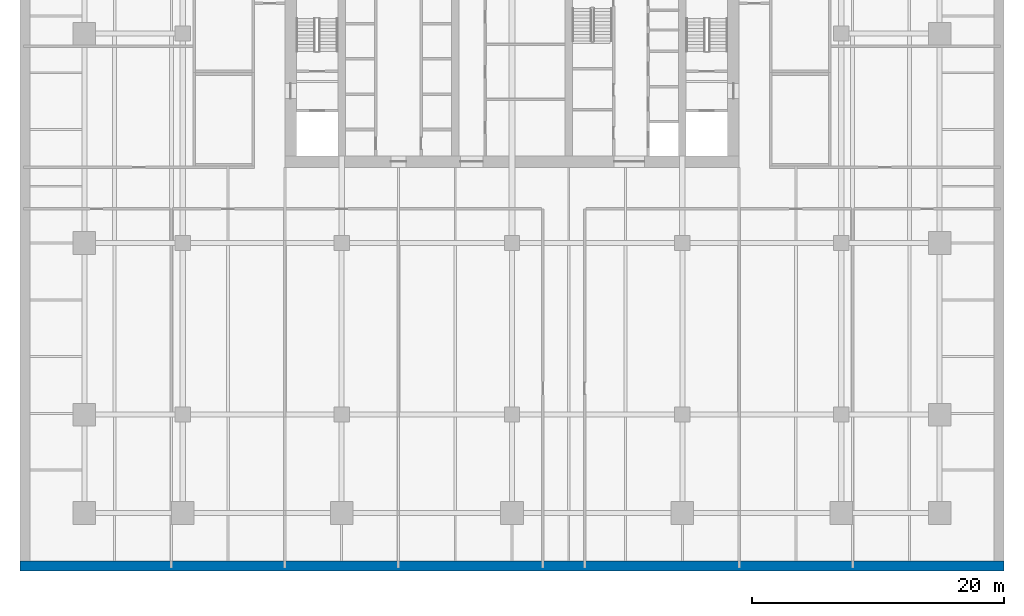
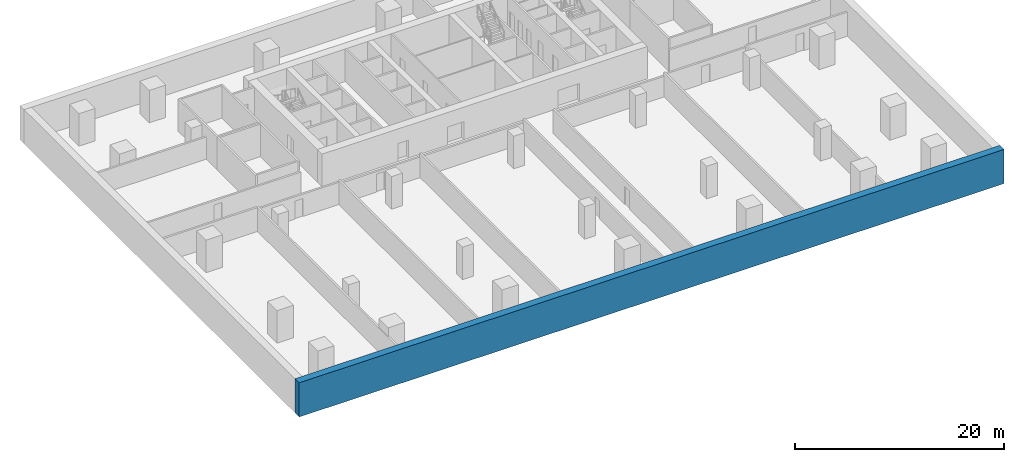
# One storey, part 5 of 10: 1 wall.
"""IFC4 building model written with IfcOpenShell, lengths in metres."""

import ifcopenshell
import ifcopenshell.guid

model = None  # the IFC model being written
_history = None  # IfcOwnerHistory: only IFC2X3 demands one
_inside = {}  # id of a spatial element -> (the spatial element, [elements in it])
_under = {}  # id of a project, library or spatial element -> (it, [spatial elements below it])
_declared = {}  # id of a project -> (the project, [libraries it declares])
_typed = {}  # id of a type object -> (the type object, [elements of that type])
_made_of = {}  # id of a material, layer set ... -> (it, [elements and type objects made of it])


def new_model(schema):
    """Start an empty IFC model of exactly this schema.

    Asked for "IFC4X3", IfcOpenShell would pick the latest addendum, in which some entities
    have other attributes; the version numbers below select the first issue.
    IFC2X3 requires an IfcOwnerHistory on every rooted entity: one is made here for all.
    """
    global model, _history
    if schema == "IFC4X3":
        model = ifcopenshell.file(schema_version=(4, 3, 0, 0))
    else:
        model = ifcopenshell.file(schema=schema)
    _inside.clear()
    _under.clear()
    _declared.clear()
    _typed.clear()
    _made_of.clear()
    _history = None
    if model.schema == "IFC2X3":
        org = make("IfcOrganization", Name="unknown")
        user = make(
            "IfcPersonAndOrganization",
            ThePerson=make("IfcPerson", FamilyName="unknown"),
            TheOrganization=org,
        )
        app = make(
            "IfcApplication",
            ApplicationDeveloper=org,
            Version="unknown",
            ApplicationFullName="unknown",
            ApplicationIdentifier="unknown",
        )
        _history = make(
            "IfcOwnerHistory",
            OwningUser=user,
            OwningApplication=app,
            ChangeAction="ADDED",
            CreationDate=0,
        )
    return model


def make(cls, **values):
    """One entity of the class cls with the attributes given. An attribute that is None is left unset."""
    return model.create_entity(
        cls, **{name: value for name, value in values.items() if value is not None}
    )


def rooted(cls, **values):
    """An entity with a GlobalId (a new one), such as an element, a storey or a relation."""
    return make(cls, GlobalId=ifcopenshell.guid.new(), OwnerHistory=_history, **values)


def si_unit(unit_type, name, prefix=None):
    """IfcSIUnit, for example si_unit("LENGTHUNIT", "METRE", prefix="MILLI")."""
    return make("IfcSIUnit", UnitType=unit_type, Prefix=prefix, Name=name)


def assignment(units):
    """IfcUnitAssignment: the units of a project."""
    return None if units is None else make("IfcUnitAssignment", Units=units)


def point(xyz):
    """IfcCartesianPoint."""
    return None if xyz is None else make("IfcCartesianPoint", Coordinates=xyz)


def direction(xyz):
    """IfcDirection."""
    return None if xyz is None else make("IfcDirection", DirectionRatios=xyz)


def frame(location, z_axis=None, x_axis=None):
    """IfcAxis2Placement3D, a coordinate frame: its origin and axes. An axis left out is left unset."""
    return make(
        "IfcAxis2Placement3D",
        Location=point(location),
        Axis=direction(z_axis),
        RefDirection=direction(x_axis),
    )


def frame_2d(location, x_axis=None):
    """IfcAxis2Placement2D, a coordinate frame in the plane: its origin and x axis."""
    return make(
        "IfcAxis2Placement2D", Location=point(location), RefDirection=direction(x_axis)
    )


def origin():
    """The frame at (0, 0, 0) with its axes left unset."""
    return frame((0.0, 0.0, 0.0))


def place(relative_to, where):
    """IfcLocalPlacement: puts the frame where relative to a parent placement (None: the world)."""
    return make(
        "IfcLocalPlacement", PlacementRelTo=relative_to, RelativePlacement=where
    )


def context(
    kind, dimensions, precision=None, world=None, true_north=None, identifier=None
):
    """IfcGeometricRepresentationContext, for example the 3D "Model" context."""
    return make(
        "IfcGeometricRepresentationContext",
        ContextIdentifier=identifier,
        ContextType=kind,
        CoordinateSpaceDimension=dimensions,
        Precision=precision,
        WorldCoordinateSystem=world,
        TrueNorth=true_north,
    )


def subcontext(parent, identifier, kind, view, scale=None):
    """IfcGeometricRepresentationSubContext, for example "Body" below "Model"."""
    return make(
        "IfcGeometricRepresentationSubContext",
        ContextIdentifier=identifier,
        ContextType=kind,
        ParentContext=parent,
        TargetScale=scale,
        TargetView=view,
    )


def project(units=None, contexts=None):
    """IfcProject with its units and contexts."""
    return rooted(
        "IfcProject",
        Name="project",
        RepresentationContexts=contexts,
        UnitsInContext=assignment(units),
    )


def spatial(cls, under=None, at=None, **own):
    """A site, building, storey or space (cls), placed at a placement, below another one or the project."""
    s = rooted(cls, ObjectPlacement=at, **own)
    if under is not None:
        _under.setdefault(under.id(), (under, []))[1].append(s)
    return s


def profile(cls, at=None, kind="AREA", **sizes):
    """A parametric profile (cls). Its sizes go by their IFC names, for example OverallWidth=200.0."""
    return make(cls, ProfileType=kind, Position=at, **sizes)


def rectangle(**sizes):
    """IfcRectangleProfileDef."""
    return profile("IfcRectangleProfileDef", **sizes)


def extrude(swept, where, along, depth):
    """IfcExtrudedAreaSolid: the profile swept, set in the frame where, extruded along a direction by depth."""
    return make(
        "IfcExtrudedAreaSolid",
        SweptArea=swept,
        Position=where,
        ExtrudedDirection=direction(along),
        Depth=depth,
    )


def shape(context_of_items, identifier, shape_type, items):
    """IfcShapeRepresentation: the items that make up one representation, for example the "Body"."""
    return make(
        "IfcShapeRepresentation",
        ContextOfItems=context_of_items,
        RepresentationIdentifier=identifier,
        RepresentationType=shape_type,
        Items=items,
    )


def material(Name=None, Category=None):
    """IfcMaterial."""
    return make("IfcMaterial", Name=Name, Category=Category)


def layer(
    of_material, thickness, ventilated=None, Name=None, Category=None, Priority=None
):
    """IfcMaterialLayer: one layer of a wall or slab, of a material (None: an air gap)."""
    return make(
        "IfcMaterialLayer",
        Material=of_material,
        LayerThickness=thickness,
        IsVentilated=ventilated,
        Name=Name,
        Category=Category,
        Priority=Priority,
    )


def layer_set(layers, Name=None):
    """IfcMaterialLayerSet."""
    return make("IfcMaterialLayerSet", MaterialLayers=layers, LayerSetName=Name)


def made_of(thing, what):
    """Note that an element or type object is made of a material, layer set ...; save() writes the relation."""
    if what is not None:
        _made_of.setdefault(what.id(), (what, []))[1].append(thing)
    return thing


def type_object(cls, material=None, **own):
    """A type object (cls), such as IfcWallType, which elements share."""
    return made_of(rooted(cls, **own), material)


def element(
    cls,
    number,
    at=None,
    inside=None,
    cuts=None,
    type_object=None,
    material=None,
    context=None,
    identifier="Body",
    shape_type=None,
    held_by="IfcProductDefinitionShape",
    body=None,
    shapes=None,
    **own,
):
    """One element of the class cls, such as IfcWall. Its Tag is "e" and its number.

    at: its placement. inside: the storey or other place that contains it. cuts: it is an
    opening in that element (IfcRelVoidsElement). A single representation is given by context,
    identifier, shape_type and body (its items); several are given by shapes. held_by: the class
    of the entity that holds the representations. save() writes the other relations.
    """
    e = rooted(cls, Tag="e%d" % number, ObjectPlacement=at, **own)
    if body is not None:
        shapes = [shape(context, identifier, shape_type, body)]
    if shapes is not None:
        e.Representation = make(held_by, Representations=shapes)
    if inside is not None:
        _inside.setdefault(inside.id(), (inside, []))[1].append(e)
    if cuts is not None:
        rooted(
            "IfcRelVoidsElement", RelatingBuildingElement=cuts, RelatedOpeningElement=e
        )
    if type_object is not None:
        _typed.setdefault(type_object.id(), (type_object, []))[1].append(e)
    return made_of(e, material)


def aggregate(whole, parts):
    """IfcRelAggregates: a whole, such as a stair, and the parts it consists of."""
    return rooted("IfcRelAggregates", RelatingObject=whole, RelatedObjects=parts)


def save(model, path):
    """Write the relations noted so far, then the file.

    IfcRelAggregates (storeys below a building ...), IfcRelContainedInSpatialStructure (elements
    in a storey), IfcRelDefinesByType, IfcRelAssociatesMaterial and IfcRelDeclares: one each for
    every whole, place, type object, material and project.
    """
    for whole, parts in _under.values():
        aggregate(whole, parts)
    for where, things in _inside.values():
        rooted(
            "IfcRelContainedInSpatialStructure",
            RelatedElements=things,
            RelatingStructure=where,
        )
    for kind, things in _typed.values():
        rooted("IfcRelDefinesByType", RelatedObjects=things, RelatingType=kind)
    for what, things in _made_of.values():
        rooted("IfcRelAssociatesMaterial", RelatedObjects=things, RelatingMaterial=what)
    for by, libraries in _declared.values():
        rooted("IfcRelDeclares", RelatingContext=by, RelatedDefinitions=libraries)
    model.write(path)


model = new_model("IFC4")

# Units and contexts
model_context = context("Model", 3, precision=1e-05, world=origin(), true_north=direction((0.0, 1.0)))
body_context = subcontext(model_context, "Body", "Model", "MODEL_VIEW")
ifc_project = project(units=[si_unit("LENGTHUNIT", "METRE"), si_unit("AREAUNIT", "SQUARE_METRE"), si_unit("VOLUMEUNIT", "CUBIC_METRE"), si_unit("PLANEANGLEUNIT", "RADIAN"), si_unit("MASSUNIT", "GRAM", prefix="KILO")], contexts=[model_context])

# Site, building, storey
site_placement = place(None, origin())
site = spatial("IfcSite", under=ifc_project, at=site_placement, CompositionType="ELEMENT")
building_placement = place(site_placement, origin())
building = spatial("IfcBuilding", under=site, at=building_placement, Name="Rattan Terrace Tower", CompositionType="ELEMENT")
storey_placement = place(building_placement, frame((0.0, 0.0, -9.5)))
storey = spatial("IfcBuildingStorey", under=building, at=storey_placement, Name="B2", CompositionType="ELEMENT", Elevation=-9.5)

# Wall
ifc_material = material(Name="Concrete C40/50", Category="concrete")
ifc_layer = layer(ifc_material, 0.800048828125)
ifc_layer_set = layer_set([ifc_layer], Name="Frame basement wall 800")
wall_type = type_object("IfcWallType", Name="Frame basement wall 800", PredefinedType="SOLIDWALL", material=ifc_layer_set)
wall_placement = place(storey_placement, frame((-39.0, -39.10009765625, -0.199951171875), z_axis=(0.0, 0.0, 1.0), x_axis=(1.0, 0.0, 0.0)))
element("IfcWall", 1, at=wall_placement, inside=storey, type_object=wall_type, Name="Basement wall", PredefinedType="SOLIDWALL", context=body_context, shape_type="SweptSolid", body=[
    extrude(rectangle(XDim=78.0, YDim=0.800048828125, at=frame_2d((39.0, 0.0))), origin(), (0.0, 0.0, 1.0), 4.0),
])

save(model, "model.ifc")
